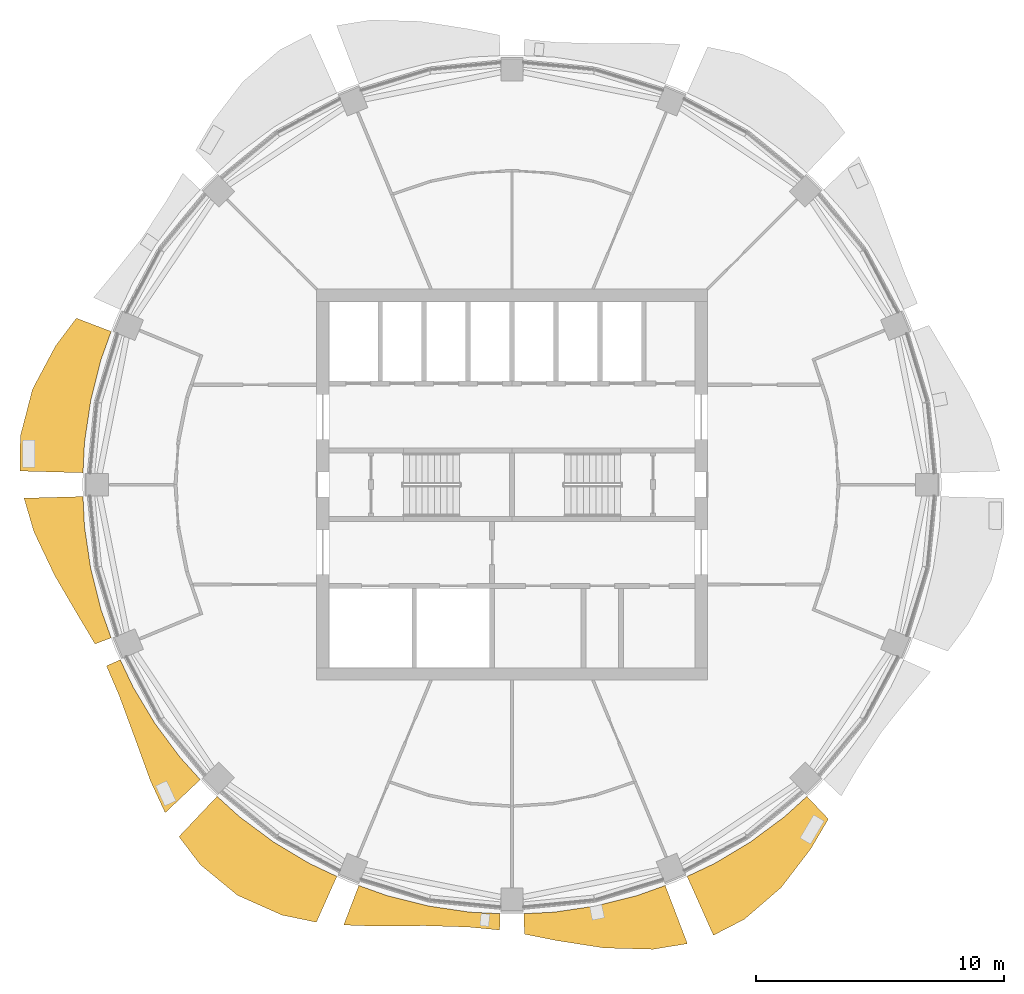
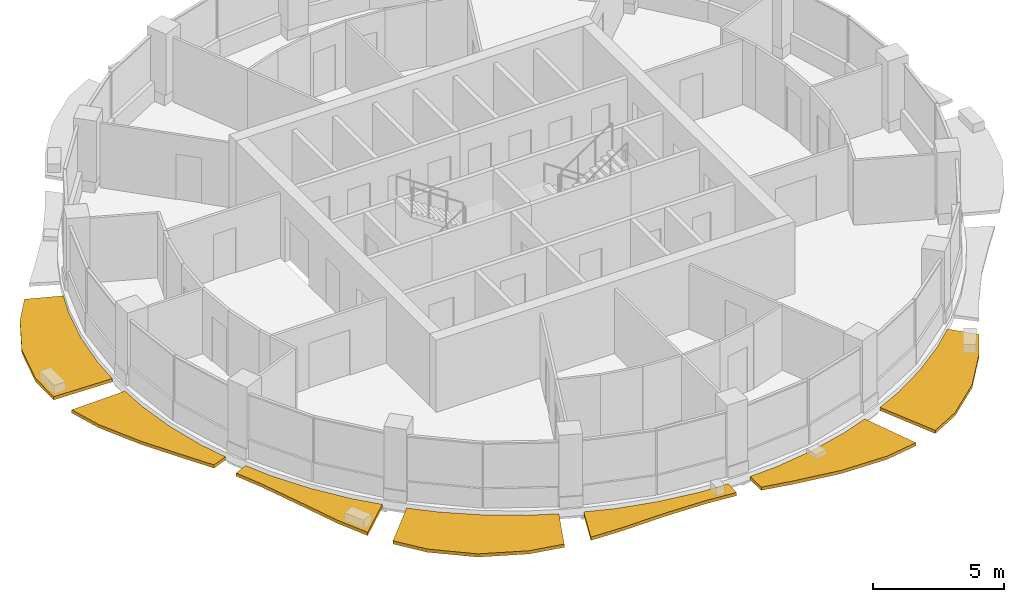
# One storey, part 12 of 15: 7 shading devices.
"""IFC4 building model written with IfcOpenShell, lengths in metres."""

from ifc_helpers import new_model, si_unit, direction, frame, origin, place, context, subcontext, project, spatial, polyline, outline, extrude, material, type_object, element, save


model = new_model("IFC4")

# Units and contexts
model_context = context("Model", 3, precision=1e-05, world=origin(), true_north=direction((0.0, 1.0)))
body_context = subcontext(model_context, "Body", "Model", "MODEL_VIEW")
ifc_project = project(units=[si_unit("LENGTHUNIT", "METRE"), si_unit("AREAUNIT", "SQUARE_METRE"), si_unit("VOLUMEUNIT", "CUBIC_METRE"), si_unit("PLANEANGLEUNIT", "RADIAN"), si_unit("MASSUNIT", "GRAM", prefix="KILO")], contexts=[model_context])

# Site, building, storey
site_placement = place(None, origin())
site = spatial("IfcSite", under=ifc_project, at=site_placement, CompositionType="ELEMENT")
building_placement = place(site_placement, origin())
building = spatial("IfcBuilding", under=site, at=building_placement, Name="Polderwave Tower", CompositionType="ELEMENT")
storey_placement = place(building_placement, frame((0.0, 0.0, 197.699951171875)))
storey = spatial("IfcBuildingStorey", under=building, at=storey_placement, Name="L53", CompositionType="ELEMENT", Elevation=197.699951171875)

# Shading devices
ifc_material = material(Name="Terracotta", Category="masonry")
shading_device_type = type_object("IfcShadingDeviceType", Name="Terracotta sunshade band", PredefinedType="USERDEFINED", material=ifc_material)
shading_device_1_placement = place(storey_placement, frame((0.0, 0.0, -0.349853515625)))
element("IfcShadingDevice", 1, at=shading_device_1_placement, inside=storey, type_object=shading_device_type, Name="Sunshade band L53 8", ObjectType="SUNSHADE", PredefinedType="USERDEFINED", context=body_context, shape_type="SweptSolid", body=[
    extrude(outline(polyline([(-16.14453125, 6.16943359375), (-16.55517578125, 5.02197265625), (-16.967529296875, 3.375), (-17.216796875, 1.69580078125), (-17.276611328125, 0.478515625), (-19.814208984375, 0.548583984375), (-19.801513671875, 1.9501953125), (-19.3115234375, 3.84130859375), (-18.388427734375, 5.578125), (-17.54443359375, 6.704345703125), (-16.14453125, 6.16943359375)])), origin(), (0.0, 0.0, 1.0), 0.14990234375),
])
shading_device_2_placement = place(storey_placement, frame((0.0, 0.0, -0.349853515625)))
element("IfcShadingDevice", 2, at=shading_device_2_placement, inside=storey, type_object=shading_device_type, Name="Sunshade band L53 9", ObjectType="SUNSHADE", PredefinedType="USERDEFINED", context=body_context, shape_type="SweptSolid", body=[
    extrude(outline(polyline([(-17.276611328125, -0.478515625), (-17.216796875, -1.69580078125), (-16.967529296875, -3.375), (-16.55517578125, -5.02197265625), (-16.14453125, -6.16943359375), (-16.79150390625, -6.416748046875), (-17.45947265625, -5.29638671875), (-18.41455078125, -3.662841796875), (-19.25439453125, -1.896484375), (-19.650634765625, -0.544189453125), (-17.276611328125, -0.478515625)])), origin(), (0.0, 0.0, 1.0), 0.14990234375),
])
shading_device_3_placement = place(storey_placement, frame((0.0, 0.0, -0.349853515625)))
element("IfcShadingDevice", 3, at=shading_device_3_placement, inside=storey, type_object=shading_device_type, Name="Sunshade band L53 10", ObjectType="SUNSHADE", PredefinedType="USERDEFINED", context=body_context, shape_type="SweptSolid", body=[
    extrude(outline(polyline([(-15.7783203125, -7.053466796875), (-15.257080078125, -8.1552734375), (-14.384521484375, -9.611328125), (-13.373046875, -10.97509765625), (-12.5546875, -11.8779296875), (-13.967041015625, -13.21435546875), (-14.5546875, -11.94482421875), (-15.204833984375, -10.159423828125), (-15.83154296875, -8.462158203125), (-16.330810546875, -7.30029296875), (-15.7783203125, -7.053466796875)])), origin(), (0.0, 0.0, 1.0), 0.14990234375),
])
shading_device_4_placement = place(storey_placement, frame((0.0, 0.0, -0.349853515625)))
element("IfcShadingDevice", 4, at=shading_device_4_placement, inside=storey, type_object=shading_device_type, Name="Sunshade band L53 11", ObjectType="SUNSHADE", PredefinedType="USERDEFINED", context=body_context, shape_type="SweptSolid", body=[
    extrude(outline(polyline([(-11.8779296875, -12.5546875), (-10.97509765625, -13.373046875), (-9.611328125, -14.384521484375), (-8.1552734375, -15.257080078125), (-7.053466796875, -15.7783203125), (-7.8779296875, -17.622802734375), (-9.265625, -17.334716796875), (-11.051513671875, -16.539794921875), (-12.557373046875, -15.30126953125), (-13.411865234375, -14.17578125), (-11.8779296875, -12.5546875)])), origin(), (0.0, 0.0, 1.0), 0.14990234375),
])
shading_device_5_placement = place(storey_placement, frame((0.0, 0.0, -0.349853515625)))
element("IfcShadingDevice", 5, at=shading_device_5_placement, inside=storey, type_object=shading_device_type, Name="Sunshade band L53 12", ObjectType="SUNSHADE", PredefinedType="USERDEFINED", context=body_context, shape_type="SweptSolid", body=[
    extrude(outline(polyline([(-6.16943359375, -16.14453125), (-5.02197265625, -16.55517578125), (-3.375, -16.967529296875), (-1.69580078125, -17.216796875), (-0.478515625, -17.276611328125), (-0.49658203125, -17.9375), (-1.7548828125, -17.81640625), (-3.533203125, -17.76220703125), (-5.394775390625, -17.783935546875), (-6.776611328125, -17.73388671875), (-6.16943359375, -16.14453125)])), origin(), (0.0, 0.0, 1.0), 0.14990234375),
])
shading_device_6_placement = place(storey_placement, frame((0.0, 0.0, -0.349853515625)))
element("IfcShadingDevice", 6, at=shading_device_6_placement, inside=storey, type_object=shading_device_type, Name="Sunshade band L53 13", ObjectType="SUNSHADE", PredefinedType="USERDEFINED", context=body_context, shape_type="SweptSolid", body=[
    extrude(outline(polyline([(0.478515625, -17.276611328125), (1.69580078125, -17.216796875), (3.375, -16.967529296875), (5.02197265625, -16.55517578125), (6.16943359375, -16.14453125), (7.064453125, -18.48681640625), (5.676513671875, -18.712890625), (3.71142578125, -18.6591796875), (1.80859375, -18.363525390625), (0.501220703125, -18.10107421875), (0.478515625, -17.276611328125)])), origin(), (0.0, 0.0, 1.0), 0.14990234375),
])
shading_device_7_placement = place(storey_placement, frame((0.0, 0.0, -0.349853515625)))
element("IfcShadingDevice", 7, at=shading_device_7_placement, inside=storey, type_object=shading_device_type, Name="Sunshade band L53 14", ObjectType="SUNSHADE", PredefinedType="USERDEFINED", context=body_context, shape_type="SweptSolid", body=[
    extrude(outline(polyline([(7.053466796875, -15.7783203125), (8.1552734375, -15.257080078125), (9.611328125, -14.384521484375), (10.97509765625, -13.373046875), (11.8779296875, -12.5546875), (12.740966796875, -13.466796875), (12.03515625, -14.6650390625), (10.841064453125, -16.224853515625), (9.356689453125, -17.505126953125), (8.1123046875, -18.147216796875), (7.053466796875, -15.7783203125)])), origin(), (0.0, 0.0, 1.0), 0.14990234375),
])

save(model, "model.ifc")
